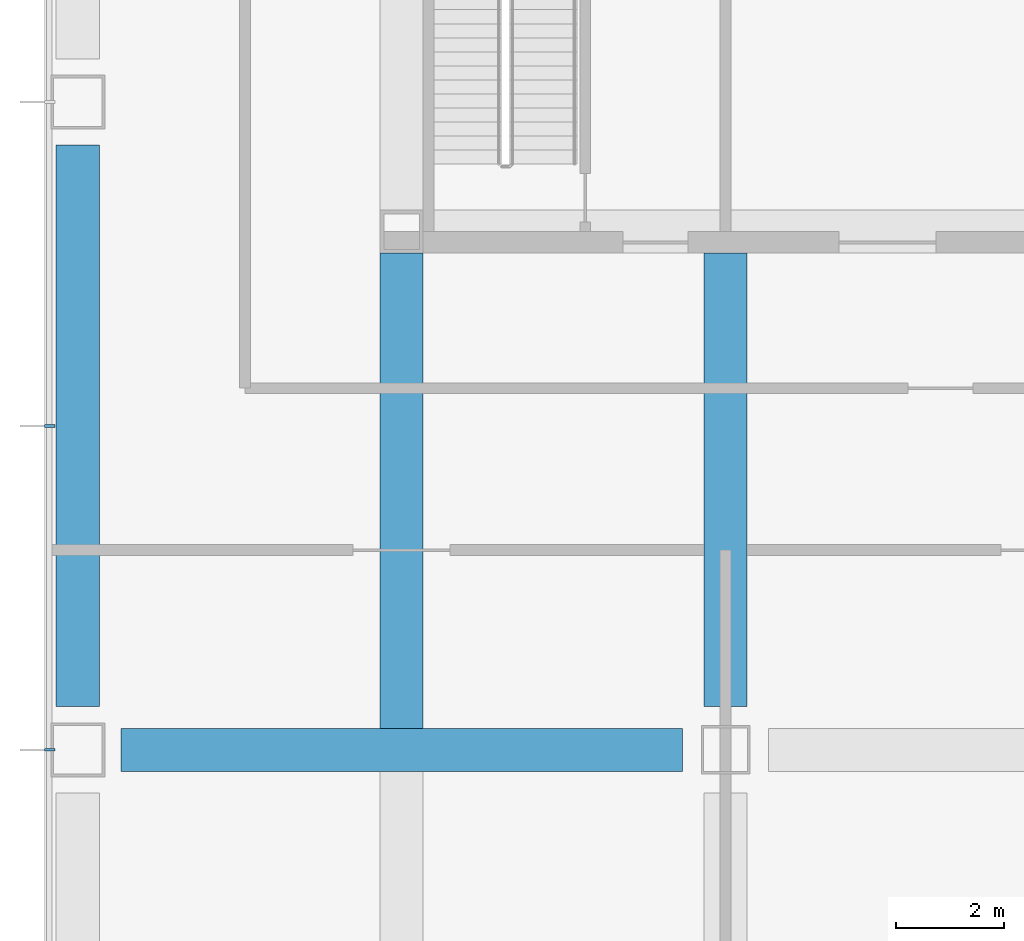
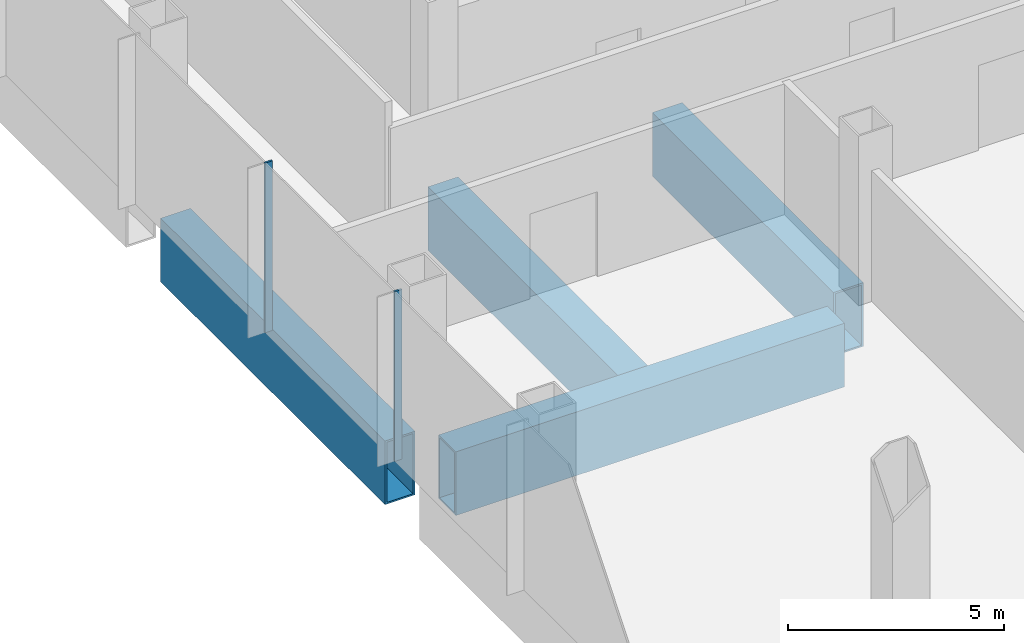
# One storey, part 4 of 34: 4 beams, 2 members, 1 element without a shape of its own.
"""IFC4 building model written with IfcOpenShell, lengths in metres."""

from ifc_helpers import new_model, si_unit, direction, frame, origin, origin_2d, place, context, subcontext, project, spatial, rectangle, hollow_rectangle, extrude, material, material_profile, profile_set, type_object, element, aggregate, save


model = new_model("IFC4")

# Units and contexts
model_context = context("Model", 3, precision=1e-05, world=origin(), true_north=direction((0.0, 1.0)))
body_context = subcontext(model_context, "Body", "Model", "MODEL_VIEW")
ifc_project = project(units=[si_unit("LENGTHUNIT", "METRE"), si_unit("AREAUNIT", "SQUARE_METRE"), si_unit("VOLUMEUNIT", "CUBIC_METRE"), si_unit("PLANEANGLEUNIT", "RADIAN"), si_unit("MASSUNIT", "GRAM", prefix="KILO")], contexts=[model_context])

# Site, building, storey
site_placement = place(None, origin())
site = spatial("IfcSite", under=ifc_project, at=site_placement, CompositionType="ELEMENT")
building_placement = place(site_placement, origin())
building = spatial("IfcBuilding", under=site, at=building_placement, Name="Sorahane Residences", CompositionType="ELEMENT")
storey_placement = place(building_placement, frame((0.0, 0.0, 20.39990234375)))
storey = spatial("IfcBuildingStorey", under=building, at=storey_placement, Name="L02", CompositionType="ELEMENT", Elevation=20.39990234375)

# Curtain wall, members
ifc_material_1 = material(Name="Dark low-e glass and black anodised aluminium", Category="aluminium")
curtain_wall_type = type_object("IfcCurtainWallType", Name="Curtain wall CW-3 Podium unitised wall", PredefinedType="NOTDEFINED", material=ifc_material_1)
curtain_wall_placement = place(storey_placement, origin())
curtain_wall = element("IfcCurtainWall", 1, at=curtain_wall_placement, inside=storey, type_object=curtain_wall_type, Name="CW-3 curtain wall L02 W1", PredefinedType="NOTDEFINED")
ifc_material_2 = material(Name="Black anodised aluminium", Category="aluminium")
ifc_material_profile_1 = material_profile(ifc_material_2, rectangle(XDim=0.199951171875, YDim=0.050048828125, at=origin_2d()), Name="Curtain wall mullion CW-3 black anodised aluminium 50x200")
ifc_profile_set_1 = profile_set([ifc_material_profile_1], Name="Black anodised aluminium")
member_type = type_object("IfcMemberType", Name="Curtain wall mullion CW-3 black anodised aluminium 50x200", PredefinedType="MULLION", material=ifc_profile_set_1)
member_1_placement = place(storey_placement, frame((-0.52001953125, 18.0, -0.39990234375), z_axis=(0.0, 0.0, 1.0), x_axis=(-1.0, 0.0, 0.0)))
member_1 = element("IfcMember", 2, at=member_1_placement, type_object=member_type, Name="CW-3 mullion L02 W1.6", PredefinedType="MULLION", context=body_context, shape_type="SweptSolid", body=[
    extrude(rectangle(XDim=0.199951171875, YDim=0.050048828125, at=origin_2d()), origin(), (0.0, 0.0, 1.0), 4.800048828125),
])
member_2_placement = place(storey_placement, frame((-0.52001953125, 12.0, -0.39990234375), z_axis=(0.0, 0.0, 1.0), x_axis=(-1.0, 0.0, 0.0)))
member_2 = element("IfcMember", 3, at=member_2_placement, type_object=member_type, Name="CW-3 mullion L02 W1.7", PredefinedType="MULLION", context=body_context, shape_type="SweptSolid", body=[
    extrude(rectangle(XDim=0.199951171875, YDim=0.050048828125, at=origin_2d()), origin(), (0.0, 0.0, 1.0), 4.800048828125),
])
aggregate(curtain_wall, [member_1, member_2])

# Beams
ifc_material_3 = material(Name="Steel Q420GJ", Category="steel")
ifc_material_profile_2 = material_profile(ifc_material_3, hollow_rectangle(XDim=0.800048828125, YDim=1.800048828125, WallThickness=0.050048828125, at=origin_2d()), Name="BOX 1800x800x50")
ifc_profile_set_2 = profile_set([ifc_material_profile_2], Name="Steel Q420GJ")
beam_type = type_object("IfcBeamType", Name="Steel transfer girder BOX 1800x800x50 Q420GJ", PredefinedType="BEAM", material=ifc_profile_set_2)
for number, where, z_axis, x_axis, name in (
    (4, (0.800048828125, 12.0, -1.2998046875), (1.0, 0.0, 0.0), (0.0, 1.0, 0.0), "Beam L02 006"),
    (5, (0.0, 12.800048828125, -1.2998046875), (0.0, 1.0, 0.0), (-1.0, 0.0, 0.0), "Beam L02 032"),
):
    element("IfcBeam", number, at=place(storey_placement, frame(where, z_axis=z_axis, x_axis=x_axis)), inside=storey, type_object=beam_type, Name=name, PredefinedType="BEAM", context=body_context, shape_type="SweptSolid", body=[
        extrude(hollow_rectangle(XDim=0.800048828125, YDim=1.800048828125, WallThickness=0.050048828125, at=origin_2d()), origin(), (0.0, 0.0, 1.0), 10.39990234375),
    ])
beam_1_placement = place(storey_placement, frame((12.0, 12.800048828125, -1.2998046875), z_axis=(0.0, 1.0, 0.0), x_axis=(-1.0, 0.0, 0.0)))
element("IfcBeam", 6, at=beam_1_placement, inside=storey, type_object=beam_type, Name="Beam L02 036", PredefinedType="BEAM", context=body_context, shape_type="SweptSolid", body=[
    extrude(hollow_rectangle(XDim=0.800048828125, YDim=1.800048828125, WallThickness=0.050048828125, at=origin_2d()), origin(), (0.0, 0.0, 1.0), 8.39990234375),
])
beam_2_placement = place(storey_placement, frame((6.0, 12.39990234375, -1.2998046875), z_axis=(0.0, 1.0, 0.0), x_axis=(-1.0, 0.0, 0.0)))
element("IfcBeam", 7, at=beam_2_placement, inside=storey, type_object=beam_type, Name="Beam L02 056", PredefinedType="BEAM", context=body_context, shape_type="SweptSolid", body=[
    extrude(hollow_rectangle(XDim=0.800048828125, YDim=1.800048828125, WallThickness=0.050048828125, at=origin_2d()), origin(), (0.0, 0.0, 1.0), 8.800048828125),
])

save(model, "model.ifc")
